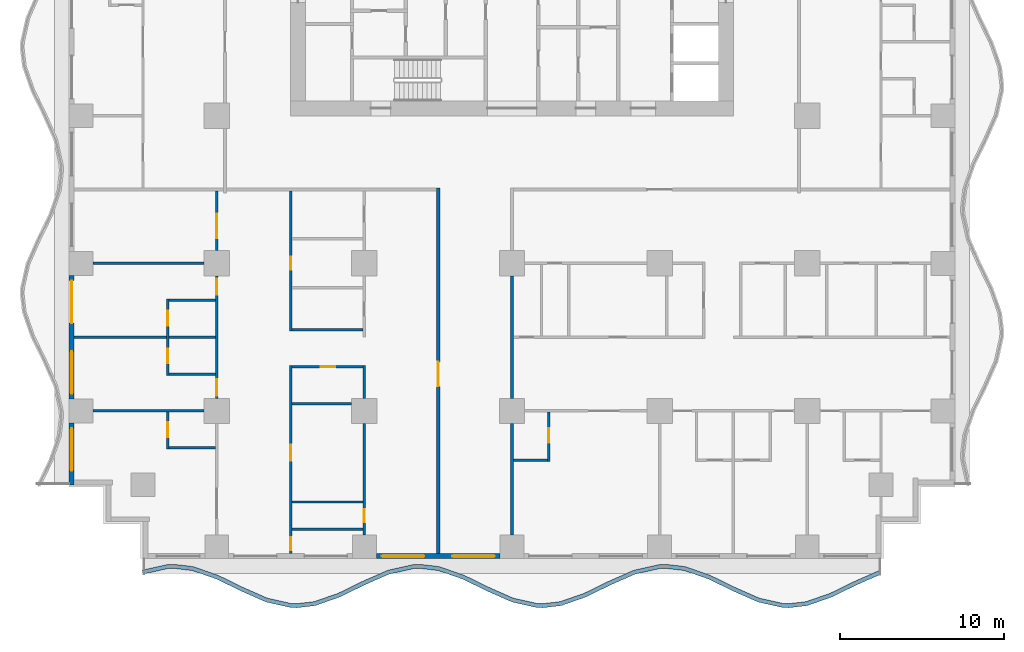
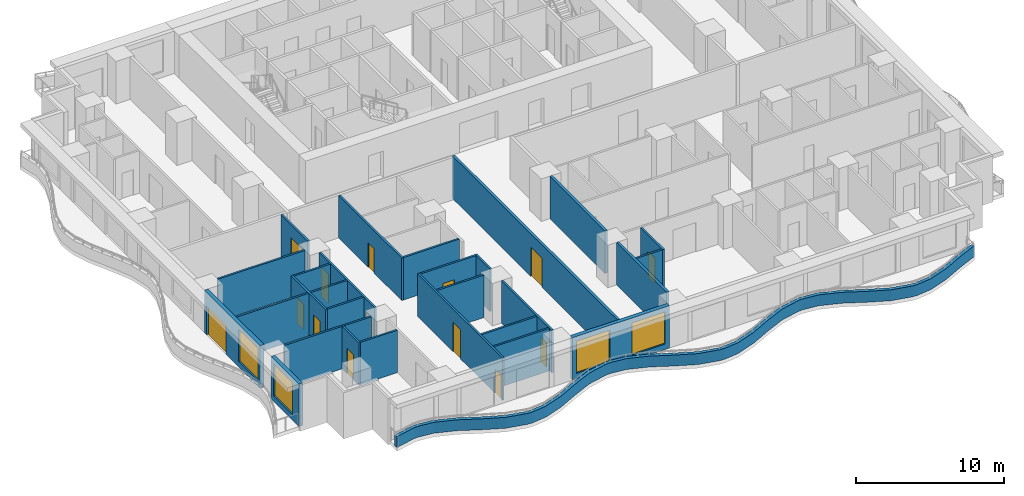
# One storey, part 2 of 14: 29 walls, 14 doors, 4 windows, 18 openings.
"""IFC4 building model written with IfcOpenShell, lengths in metres."""

from ifc_helpers import new_model, si_unit, direction, frame, frame_2d, origin, place, context, subcontext, project, spatial, polyline, rectangle, outline, extrude, material, layer, layer_set, type_object, element, fill, save


model = new_model("IFC4")

# Units and contexts
model_context = context("Model", 3, precision=1e-05, world=origin(), true_north=direction((0.0, 1.0)))
body_context = subcontext(model_context, "Body", "Model", "MODEL_VIEW")
ifc_project = project(units=[si_unit("LENGTHUNIT", "METRE"), si_unit("AREAUNIT", "SQUARE_METRE"), si_unit("VOLUMEUNIT", "CUBIC_METRE"), si_unit("PLANEANGLEUNIT", "RADIAN"), si_unit("MASSUNIT", "GRAM", prefix="KILO")], contexts=[model_context])

# Site, building, storey
site_placement = place(None, origin())
site = spatial("IfcSite", under=ifc_project, at=site_placement, CompositionType="ELEMENT")
building_placement = place(site_placement, origin())
building = spatial("IfcBuilding", under=site, at=building_placement, Name="Orbiselva Terraces", CompositionType="ELEMENT")
storey_placement = place(building_placement, frame((0.0, 0.0, 34.0)))
storey = spatial("IfcBuildingStorey", under=building, at=storey_placement, Name="L08", CompositionType="ELEMENT", Elevation=34.0)

# Wall
ifc_material_1 = material(Name="Concrete C40/50", Category="concrete")
ifc_layer_1 = layer(ifc_material_1, 0.25)
ifc_layer_set_1 = layer_set([ifc_layer_1], Name="Concrete C40/50")
wall_type_1 = type_object("IfcWallType", Name="ENV-PLANTER-250x900", PredefinedType="USERDEFINED", material=ifc_layer_set_1)
wall_1_placement = place(storey_placement, origin())
element("IfcWall", 1, at=wall_1_placement, inside=storey, type_object=wall_type_1, Name="Balcony planter L08 S", ObjectType="PLANTER", PredefinedType="USERDEFINED", context=body_context, shape_type="SweptSolid", body=[
    extrude(outline(polyline([(-22.5, -23.451472), (-21.0, -23.114774), (-20.625, -23.1), (-19.5, -23.230792), (-18.0, -23.755211), (-16.5, -24.487721), (-15.0, -25.148528), (-13.5, -25.485226), (-13.125, -25.5), (-12.0, -25.369208), (-10.5, -24.844789), (-9.0, -24.112279), (-7.5, -23.451472), (-6.0, -23.114774), (-5.625, -23.1), (-4.5, -23.230792), (-3.0, -23.755211), (-1.5, -24.487721), (0.0, -25.148528), (1.5, -25.485226), (1.875, -25.5), (3.0, -25.369208), (4.5, -24.844789), (6.0, -24.112279), (7.5, -23.451472), (9.0, -23.114774), (9.375, -23.1), (10.5, -23.230792), (12.0, -23.755211), (13.5, -24.487721), (15.0, -25.148528), (16.5, -25.485226), (16.875, -25.5), (18.0, -25.369208), (19.5, -24.844789), (21.0, -24.112279), (22.5, -23.451472), (22.399212, -23.222689), (20.894714, -23.885477), (19.40356, -24.613667), (17.943629, -25.124078), (16.865428, -25.249429), (16.532565, -25.236315), (15.078508, -24.90993), (13.605286, -24.260919), (12.09644, -23.524089), (10.556371, -22.985662), (9.384572, -22.849429), (8.967435, -22.865863), (7.421492, -23.212874), (5.894714, -23.885477), (4.40356, -24.613667), (2.943629, -25.124078), (1.865428, -25.249429), (1.532565, -25.236315), (0.078508, -24.90993), (-1.394714, -24.260919), (-2.90356, -23.524089), (-4.443629, -22.985662), (-5.615428, -22.849429), (-6.032565, -22.865863), (-7.578508, -23.212874), (-9.105286, -23.885477), (-10.59644, -24.613667), (-12.056371, -25.124078), (-13.134572, -25.249429), (-13.467435, -25.236315), (-14.921492, -24.90993), (-16.394714, -24.260919), (-17.90356, -23.524089), (-19.443629, -22.985662), (-20.615428, -22.849429), (-21.032565, -22.865863), (-22.554754, -23.207542), (-22.5, -23.451472)])), origin(), (0.0, 0.0, 1.0), 0.9),
])

# Wall, openings, windows
ifc_material_2 = material(Name="Terracotta cladding on masonry backing", Category="masonry")
ifc_layer_2 = layer(ifc_material_2, 0.3)
ifc_layer_set_2 = layer_set([ifc_layer_2], Name="Terracotta cladding on masonry backing")
wall_type_2 = type_object("IfcWallType", Name="ENV-WALL-TERRACOTTA-300", PredefinedType="SOLIDWALL", material=ifc_layer_set_2)
wall_2_placement = place(storey_placement, frame((-0.725, -22.35, 0.0), z_axis=(0.0, 0.0, 1.0), x_axis=(-1.0, 0.0, 0.0)))
wall_2 = element("IfcWall", 2, at=wall_2_placement, inside=storey, type_object=wall_type_2, Name="Facade wall L08 S", PredefinedType="SOLIDWALL", context=body_context, shape_type="SweptSolid", body=[
    extrude(rectangle(XDim=7.55, YDim=0.3, at=frame_2d((3.775, 0.0))), origin(), (0.0, 0.0, 1.0), 3.5),
])
opening_1_placement = place(wall_2_placement, frame((4.625, 0.0, 0.45)))
opening_1 = element("IfcOpeningElement", 3, at=opening_1_placement, cuts=wall_2, Name="Opening WN1", PredefinedType="OPENING", context=body_context, shape_type="SweptSolid", body=[
    extrude(rectangle(XDim=2.6, YDim=2.65, at=frame_2d((1.3, 1.325))), frame((0.0, 0.16, 0.0), z_axis=(0.0, -1.0, 0.0), x_axis=(1.0, 0.0, 0.0)), (0.0, 0.0, 1.0), 0.32),
])
opening_2_placement = place(wall_2_placement, frame((0.325, 0.0, 0.45)))
opening_2 = element("IfcOpeningElement", 4, at=opening_2_placement, cuts=wall_2, Name="Opening WN1", PredefinedType="OPENING", context=body_context, shape_type="SweptSolid", body=[
    extrude(rectangle(XDim=2.6, YDim=2.65, at=frame_2d((1.3, 1.325))), frame((0.0, 0.16, 0.0), z_axis=(0.0, -1.0, 0.0), x_axis=(1.0, 0.0, 0.0)), (0.0, 0.0, 1.0), 0.32),
])
ifc_material_3 = material(Name="Clear low-e glazing in aluminium frame", Category="aluminium")
window_type = type_object("IfcWindowType", Name="WINDOW 2600 X 2650 S450", PartitioningType="TRIPLE_PANEL_VERTICAL", PredefinedType="WINDOW", material=ifc_material_3)
window_1_placement = place(opening_1_placement, origin())
window_1 = element("IfcWindow", 5, at=window_1_placement, inside=storey, type_object=window_type, Name="Window L08 S", OverallHeight=2.65, OverallWidth=2.6, PartitioningType="SINGLE_PANEL", PredefinedType="WINDOW", context=body_context, shape_type="SweptSolid", body=[
    extrude(rectangle(XDim=2.6, YDim=2.65, at=frame_2d((1.3, 1.325))), frame((0.0, 0.03, 0.0), z_axis=(0.0, -1.0, 0.0), x_axis=(1.0, 0.0, 0.0)), (0.0, 0.0, 1.0), 0.06),
])
fill(opening_1, window_1)
window_2_placement = place(opening_2_placement, origin())
window_2 = element("IfcWindow", 6, at=window_2_placement, inside=storey, type_object=window_type, Name="Window L08 S", OverallHeight=2.65, OverallWidth=2.6, PartitioningType="SINGLE_PANEL", PredefinedType="WINDOW", context=body_context, shape_type="SweptSolid", body=[
    extrude(rectangle(XDim=2.6, YDim=2.65, at=frame_2d((1.3, 1.325))), frame((0.0, 0.03, 0.0), z_axis=(0.0, -1.0, 0.0), x_axis=(1.0, 0.0, 0.0)), (0.0, 0.0, 1.0), 0.06),
])
fill(opening_2, window_2)

# Wall, openings, door, window
wall_3_placement = place(storey_placement, frame((-26.85, -12.775, 0.0), z_axis=(0.0, 0.0, 1.0), x_axis=(0.0, 1.0, 0.0)))
wall_3 = element("IfcWall", 7, at=wall_3_placement, inside=storey, type_object=wall_type_2, Name="Facade wall L08 W", PredefinedType="SOLIDWALL", context=body_context, shape_type="SweptSolid", body=[
    extrude(rectangle(XDim=7.55, YDim=0.3, at=frame_2d((3.775, 0.0))), origin(), (0.0, 0.0, 1.0), 3.5),
])
opening_3_placement = place(wall_3_placement, frame((4.625, 0.0, 0.0)))
opening_3 = element("IfcOpeningElement", 8, at=opening_3_placement, cuts=wall_3, Name="Opening Z1-B-E17", PredefinedType="OPENING", context=body_context, shape_type="SweptSolid", body=[
    extrude(rectangle(XDim=2.6, YDim=2.4, at=frame_2d((1.3, 1.2))), frame((0.0, 0.16, 0.0), z_axis=(0.0, -1.0, 0.0), x_axis=(1.0, 0.0, 0.0)), (0.0, 0.0, 1.0), 0.32),
])
opening_4_placement = place(wall_3_placement, frame((0.325, 0.0, 0.45)))
opening_4 = element("IfcOpeningElement", 9, at=opening_4_placement, cuts=wall_3, Name="Opening WN1", PredefinedType="OPENING", context=body_context, shape_type="SweptSolid", body=[
    extrude(rectangle(XDim=2.6, YDim=2.65, at=frame_2d((1.3, 1.325))), frame((0.0, 0.16, 0.0), z_axis=(0.0, -1.0, 0.0), x_axis=(1.0, 0.0, 0.0)), (0.0, 0.0, 1.0), 0.32),
])
door_type_1 = type_object("IfcDoorType", Name="BALCONY DOOR 2600 X 2400", OperationType="DOUBLE_DOOR_SLIDING", PredefinedType="DOOR", material=ifc_material_3)
door_1_placement = place(opening_3_placement, origin())
door_1 = element("IfcDoor", 10, at=door_1_placement, inside=storey, type_object=door_type_1, Name="Z1-B-E17", OperationType="SINGLE_SWING_LEFT", OverallHeight=2.4, OverallWidth=2.6, PredefinedType="DOOR", context=body_context, shape_type="SweptSolid", body=[
    extrude(rectangle(XDim=2.6, YDim=2.4, at=frame_2d((1.3, 1.2))), frame((0.0, 0.025, 0.0), z_axis=(0.0, -1.0, 0.0), x_axis=(1.0, 0.0, 0.0)), (0.0, 0.0, 1.0), 0.05),
])
fill(opening_3, door_1)
window_3_placement = place(opening_4_placement, origin())
window_3 = element("IfcWindow", 11, at=window_3_placement, inside=storey, type_object=window_type, Name="Window L08 W", OverallHeight=2.65, OverallWidth=2.6, PartitioningType="SINGLE_PANEL", PredefinedType="WINDOW", context=body_context, shape_type="SweptSolid", body=[
    extrude(rectangle(XDim=2.6, YDim=2.65, at=frame_2d((1.3, 1.325))), frame((0.0, 0.03, 0.0), z_axis=(0.0, -1.0, 0.0), x_axis=(1.0, 0.0, 0.0)), (0.0, 0.0, 1.0), 0.06),
])
fill(opening_4, window_3)

# Wall, opening, window
wall_4_placement = place(storey_placement, frame((-26.85, -18.0, 0.0), z_axis=(0.0, 0.0, 1.0), x_axis=(0.0, 1.0, 0.0)))
wall_4 = element("IfcWall", 12, at=wall_4_placement, inside=storey, type_object=wall_type_2, Name="Facade wall L08 W", PredefinedType="SOLIDWALL", context=body_context, shape_type="SweptSolid", body=[
    extrude(rectangle(XDim=3.775, YDim=0.3, at=frame_2d((1.8875, 0.0))), origin(), (0.0, 0.0, 1.0), 3.5),
])
opening_5_placement = place(wall_4_placement, frame((0.85, 0.0, 0.45)))
opening_5 = element("IfcOpeningElement", 13, at=opening_5_placement, cuts=wall_4, Name="Opening WN1", PredefinedType="OPENING", context=body_context, shape_type="SweptSolid", body=[
    extrude(rectangle(XDim=2.6, YDim=2.65, at=frame_2d((1.3, 1.325))), frame((0.0, 0.16, 0.0), z_axis=(0.0, -1.0, 0.0), x_axis=(1.0, 0.0, 0.0)), (0.0, 0.0, 1.0), 0.32),
])
window_4_placement = place(opening_5_placement, origin())
window_4 = element("IfcWindow", 14, at=window_4_placement, inside=storey, type_object=window_type, Name="Window L08 W", OverallHeight=2.65, OverallWidth=2.6, PartitioningType="SINGLE_PANEL", PredefinedType="WINDOW", context=body_context, shape_type="SweptSolid", body=[
    extrude(rectangle(XDim=2.6, YDim=2.65, at=frame_2d((1.3, 1.325))), frame((0.0, 0.03, 0.0), z_axis=(0.0, -1.0, 0.0), x_axis=(1.0, 0.0, 0.0)), (0.0, 0.0, 1.0), 0.06),
])
fill(opening_5, window_4)

# Wall, opening, door
ifc_material_4 = material(Name="Plasterboard on steel stud partition", Category="steel")
ifc_layer_3 = layer(ifc_material_4, 0.2)
ifc_layer_set_3 = layer_set([ifc_layer_3], Name="Plasterboard on steel stud partition")
wall_type_3 = type_object("IfcWallType", Name="UNIT-ENTRANCE-WALL-200", PredefinedType="PARTITIONING", material=ifc_layer_set_3)
wall_5_placement = place(storey_placement, frame((-4.5, -22.2, 0.0), z_axis=(0.0, 0.0, 1.0), x_axis=(0.0, 1.0, 0.0)))
wall_5 = element("IfcWall", 15, at=wall_5_placement, inside=storey, type_object=wall_type_3, Name="PARTITION L08-058", PredefinedType="PARTITIONING", context=body_context, shape_type="SweptSolid", body=[
    extrude(rectangle(XDim=22.3, YDim=0.2, at=frame_2d((11.15, 0.0))), origin(), (0.0, 0.0, 1.0), 3.5),
])
opening_6_placement = place(wall_5_placement, frame((10.2, 0.0, 0.0)))
opening_6 = element("IfcOpeningElement", 16, at=opening_6_placement, cuts=wall_5, Name="Opening Z1-B-13", PredefinedType="OPENING", context=body_context, shape_type="SweptSolid", body=[
    extrude(rectangle(XDim=1.5, YDim=2.4, at=frame_2d((0.75, 1.2))), frame((0.0, 0.11, 0.0), z_axis=(0.0, -1.0, 0.0), x_axis=(1.0, 0.0, 0.0)), (0.0, 0.0, 1.0), 0.22),
])
ifc_material_5 = material(Name="Painted timber door leaf", Category="wood")
door_type_2 = type_object("IfcDoorType", Name="ENTRANCE DOUBLE DOOR 1500", OperationType="NOTDEFINED", PredefinedType="DOOR", material=ifc_material_5)
door_2_placement = place(opening_6_placement, origin())
door_2 = element("IfcDoor", 17, at=door_2_placement, inside=storey, type_object=door_type_2, Name="Z1-B-13", OperationType="DOUBLE_DOOR_SINGLE_SWING", OverallHeight=2.4, OverallWidth=1.5, PredefinedType="DOOR", context=body_context, shape_type="SweptSolid", body=[
    extrude(rectangle(XDim=1.5, YDim=2.4, at=frame_2d((0.75, 1.2))), frame((0.0, 0.025, 0.0), z_axis=(0.0, -1.0, 0.0), x_axis=(1.0, 0.0, 0.0)), (0.0, 0.0, 1.0), 0.05),
])
fill(opening_6, door_2)

# Walls
wall_6_placement = place(storey_placement, frame((0.0, -21.05, 0.0), z_axis=(0.0, 0.0, 1.0), x_axis=(0.0, 1.0, 0.0)))
element("IfcWall", 18, at=wall_6_placement, inside=storey, type_object=wall_type_3, Name="PARTITION L08-059", PredefinedType="PARTITIONING", context=body_context, shape_type="SweptSolid", body=[
    extrude(rectangle(XDim=6.775, YDim=0.2, at=frame_2d((3.3875, 0.0))), origin(), (0.0, 0.0, 1.0), 3.5),
])
wall_7_placement = place(storey_placement, frame((0.0, -12.725, 0.0), z_axis=(0.0, 0.0, 1.0), x_axis=(0.0, 1.0, 0.0)))
element("IfcWall", 19, at=wall_7_placement, inside=storey, type_object=wall_type_3, Name="PARTITION L08-060", PredefinedType="PARTITIONING", context=body_context, shape_type="SweptSolid", body=[
    extrude(rectangle(XDim=7.45, YDim=0.2, at=frame_2d((3.725, 0.0))), origin(), (0.0, 0.0, 1.0), 3.5),
])
ifc_layer_4 = layer(ifc_material_4, 0.15)
ifc_layer_set_4 = layer_set([ifc_layer_4], Name="Plasterboard on steel stud partition")
wall_type_4 = type_object("IfcWallType", Name="UNIT-PARTITION-150", PredefinedType="PARTITIONING", material=ifc_layer_set_4)
for number, where, z_axis, x_axis, name in (
    (20, (-13.425, -20.7, 0.0), (0.0, 0.0, 1.0), (1.0, 0.0, 0.0), "PARTITION L08-001"),
    (21, (-13.425, -19.05, 0.0), (0.0, 0.0, 1.0), (1.0, 0.0, 0.0), "PARTITION L08-002"),
):
    element("IfcWall", number, at=place(storey_placement, frame(where, z_axis=z_axis, x_axis=x_axis)), inside=storey, type_object=wall_type_4, Name=name, PredefinedType="PARTITIONING", context=body_context, shape_type="SweptSolid", body=[
        extrude(rectangle(XDim=4.35, YDim=0.15, at=frame_2d((2.175, 0.0))), origin(), (0.0, 0.0, 1.0), 3.5),
    ])
wall_8_placement = place(storey_placement, frame((0.1, -16.5, 0.0), z_axis=(0.0, 0.0, 1.0), x_axis=(1.0, 0.0, 0.0)))
element("IfcWall", 22, at=wall_8_placement, inside=storey, type_object=wall_type_4, Name="PARTITION L08-003", PredefinedType="PARTITIONING", context=body_context, shape_type="SweptSolid", body=[
    extrude(rectangle(XDim=2.075, YDim=0.15, at=frame_2d((1.0375, 0.0))), origin(), (0.0, 0.0, 1.0), 3.5),
])
wall_9_placement = place(storey_placement, frame((-20.925, -15.75, 0.0), z_axis=(0.0, 0.0, 1.0), x_axis=(1.0, 0.0, 0.0)))
element("IfcWall", 23, at=wall_9_placement, inside=storey, type_object=wall_type_4, Name="PARTITION L08-007", PredefinedType="PARTITIONING", context=body_context, shape_type="SweptSolid", body=[
    extrude(rectangle(XDim=2.85, YDim=0.15, at=frame_2d((1.425, 0.0))), origin(), (0.0, 0.0, 1.0), 3.5),
])
wall_10_placement = place(storey_placement, frame((-25.55, -13.5, 0.0), z_axis=(0.0, 0.0, 1.0), x_axis=(1.0, 0.0, 0.0)))
element("IfcWall", 24, at=wall_10_placement, inside=storey, type_object=wall_type_4, Name="PARTITION L08-008", PredefinedType="PARTITIONING", context=body_context, shape_type="SweptSolid", body=[
    extrude(rectangle(XDim=6.775, YDim=0.15, at=frame_2d((3.3875, 0.0))), origin(), (0.0, 0.0, 1.0), 3.5),
])
wall_11_placement = place(storey_placement, frame((-13.425, -13.05, 0.0), z_axis=(0.0, 0.0, 1.0), x_axis=(1.0, 0.0, 0.0)))
element("IfcWall", 25, at=wall_11_placement, inside=storey, type_object=wall_type_4, Name="PARTITION L08-012", PredefinedType="PARTITIONING", context=body_context, shape_type="SweptSolid", body=[
    extrude(rectangle(XDim=3.65, YDim=0.15, at=frame_2d((1.825, 0.0))), origin(), (0.0, 0.0, 1.0), 3.5),
])
wall_12_placement = place(storey_placement, frame((-20.925, -11.25, 0.0), z_axis=(0.0, 0.0, 1.0), x_axis=(1.0, 0.0, 0.0)))
element("IfcWall", 26, at=wall_12_placement, inside=storey, type_object=wall_type_4, Name="PARTITION L08-013", PredefinedType="PARTITIONING", context=body_context, shape_type="SweptSolid", body=[
    extrude(rectangle(XDim=2.85, YDim=0.15, at=frame_2d((1.425, 0.0))), origin(), (0.0, 0.0, 1.0), 3.5),
])

# Wall, opening, door
wall_13_placement = place(storey_placement, frame((-9.075, -10.8, 0.0), z_axis=(0.0, 0.0, 1.0), x_axis=(-1.0, 0.0, 0.0)))
wall_13 = element("IfcWall", 27, at=wall_13_placement, inside=storey, type_object=wall_type_4, Name="PARTITION L08-014", PredefinedType="PARTITIONING", context=body_context, shape_type="SweptSolid", body=[
    extrude(rectangle(XDim=4.35, YDim=0.15, at=frame_2d((2.175, 0.0))), origin(), (0.0, 0.0, 1.0), 3.5),
])
opening_7_placement = place(wall_13_placement, frame((1.7, 0.0, 0.0)))
opening_7 = element("IfcOpeningElement", 28, at=opening_7_placement, cuts=wall_13, Name="Opening Z1-B-17", PredefinedType="OPENING", context=body_context, shape_type="SweptSolid", body=[
    extrude(rectangle(XDim=0.9, YDim=2.1, at=frame_2d((0.45, 1.05))), frame((0.0, 0.085, 0.0), z_axis=(0.0, -1.0, 0.0), x_axis=(1.0, 0.0, 0.0)), (0.0, 0.0, 1.0), 0.17),
])
door_type_3 = type_object("IfcDoorType", Name="BATH DOOR 900", OperationType="NOTDEFINED", PredefinedType="DOOR", material=ifc_material_5)
door_3_placement = place(opening_7_placement, origin())
door_3 = element("IfcDoor", 29, at=door_3_placement, inside=storey, type_object=door_type_3, Name="Z1-B-17", OperationType="SINGLE_SWING_LEFT", OverallHeight=2.1, OverallWidth=0.9, PredefinedType="DOOR", context=body_context, shape_type="SweptSolid", body=[
    extrude(rectangle(XDim=0.9, YDim=2.1, at=frame_2d((0.45, 1.05))), frame((0.0, 0.025, 0.0), z_axis=(0.0, -1.0, 0.0), x_axis=(1.0, 0.0, 0.0)), (0.0, 0.0, 1.0), 0.05),
])
fill(opening_7, door_3)

# Walls
wall_14_placement = place(storey_placement, frame((-26.7, -9.0, 0.0), z_axis=(0.0, 0.0, 1.0), x_axis=(1.0, 0.0, 0.0)))
element("IfcWall", 30, at=wall_14_placement, inside=storey, type_object=wall_type_4, Name="PARTITION L08-015", PredefinedType="PARTITIONING", context=body_context, shape_type="SweptSolid", body=[
    extrude(rectangle(XDim=5.625, YDim=0.15, at=frame_2d((2.8125, 0.0))), origin(), (0.0, 0.0, 1.0), 3.5),
])
wall_15_placement = place(storey_placement, frame((-20.925, -9.0, 0.0), z_axis=(0.0, 0.0, 1.0), x_axis=(1.0, 0.0, 0.0)))
element("IfcWall", 31, at=wall_15_placement, inside=storey, type_object=wall_type_4, Name="PARTITION L08-016", PredefinedType="PARTITIONING", context=body_context, shape_type="SweptSolid", body=[
    extrude(rectangle(XDim=2.85, YDim=0.15, at=frame_2d((1.425, 0.0))), origin(), (0.0, 0.0, 1.0), 3.5),
])
wall_16_placement = place(storey_placement, frame((-13.425, -8.55, 0.0), z_axis=(0.0, 0.0, 1.0), x_axis=(1.0, 0.0, 0.0)))
element("IfcWall", 32, at=wall_16_placement, inside=storey, type_object=wall_type_4, Name="PARTITION L08-019", PredefinedType="PARTITIONING", context=body_context, shape_type="SweptSolid", body=[
    extrude(rectangle(XDim=4.35, YDim=0.15, at=frame_2d((2.175, 0.0))), origin(), (0.0, 0.0, 1.0), 3.5),
])
wall_17_placement = place(storey_placement, frame((-20.925, -6.75, 0.0), z_axis=(0.0, 0.0, 1.0), x_axis=(1.0, 0.0, 0.0)))
element("IfcWall", 33, at=wall_17_placement, inside=storey, type_object=wall_type_4, Name="PARTITION L08-020", PredefinedType="PARTITIONING", context=body_context, shape_type="SweptSolid", body=[
    extrude(rectangle(XDim=2.85, YDim=0.15, at=frame_2d((1.425, 0.0))), origin(), (0.0, 0.0, 1.0), 3.5),
])
wall_18_placement = place(storey_placement, frame((-25.55, -4.5, 0.0), z_axis=(0.0, 0.0, 1.0), x_axis=(1.0, 0.0, 0.0)))
element("IfcWall", 34, at=wall_18_placement, inside=storey, type_object=wall_type_4, Name="PARTITION L08-022", PredefinedType="PARTITIONING", context=body_context, shape_type="SweptSolid", body=[
    extrude(rectangle(XDim=6.775, YDim=0.15, at=frame_2d((3.3875, 0.0))), origin(), (0.0, 0.0, 1.0), 3.5),
])

# Wall, opening, door
wall_19_placement = place(storey_placement, frame((-21.0, -13.575, 0.0), z_axis=(0.0, 0.0, 1.0), x_axis=(0.0, -1.0, 0.0)))
wall_19 = element("IfcWall", 35, at=wall_19_placement, inside=storey, type_object=wall_type_4, Name="PARTITION L08-044", PredefinedType="PARTITIONING", context=body_context, shape_type="SweptSolid", body=[
    extrude(rectangle(XDim=2.25, YDim=0.15, at=frame_2d((1.125, 0.0))), origin(), (0.0, 0.0, 1.0), 3.5),
])
opening_8_placement = place(wall_19_placement, frame((0.625, 0.0, 0.0)))
opening_8 = element("IfcOpeningElement", 36, at=opening_8_placement, cuts=wall_19, Name="Opening Z1-B-22", PredefinedType="OPENING", context=body_context, shape_type="SweptSolid", body=[
    extrude(rectangle(XDim=0.9, YDim=2.1, at=frame_2d((0.45, 1.05))), frame((0.0, 0.085, 0.0), z_axis=(0.0, -1.0, 0.0), x_axis=(1.0, 0.0, 0.0)), (0.0, 0.0, 1.0), 0.17),
])
door_4_placement = place(opening_8_placement, origin())
door_4 = element("IfcDoor", 37, at=door_4_placement, inside=storey, type_object=door_type_3, Name="Z1-B-22", OperationType="SINGLE_SWING_LEFT", OverallHeight=2.1, OverallWidth=0.9, PredefinedType="DOOR", context=body_context, shape_type="SweptSolid", body=[
    extrude(rectangle(XDim=0.9, YDim=2.1, at=frame_2d((0.45, 1.05))), frame((0.0, 0.025, 0.0), z_axis=(0.0, -1.0, 0.0), x_axis=(1.0, 0.0, 0.0)), (0.0, 0.0, 1.0), 0.05),
])
fill(opening_8, door_4)

# Wall, openings, doors
wall_20_placement = place(storey_placement, frame((-21.0, -6.675, 0.0), z_axis=(0.0, 0.0, 1.0), x_axis=(0.0, -1.0, 0.0)))
wall_20 = element("IfcWall", 38, at=wall_20_placement, inside=storey, type_object=wall_type_4, Name="PARTITION L08-045", PredefinedType="PARTITIONING", context=body_context, shape_type="SweptSolid", body=[
    extrude(rectangle(XDim=4.65, YDim=0.15, at=frame_2d((2.325, 0.0))), origin(), (0.0, 0.0, 1.0), 3.5),
])
opening_9_placement = place(wall_20_placement, frame((3.025, 0.0, 0.0)))
opening_9 = element("IfcOpeningElement", 39, at=opening_9_placement, cuts=wall_20, Name="Opening Z1-B-24", PredefinedType="OPENING", context=body_context, shape_type="SweptSolid", body=[
    extrude(rectangle(XDim=0.9, YDim=2.1, at=frame_2d((0.45, 1.05))), frame((0.0, 0.085, 0.0), z_axis=(0.0, -1.0, 0.0), x_axis=(1.0, 0.0, 0.0)), (0.0, 0.0, 1.0), 0.17),
])
opening_10_placement = place(wall_20_placement, frame((0.725, 0.0, 0.0)))
opening_10 = element("IfcOpeningElement", 40, at=opening_10_placement, cuts=wall_20, Name="Opening Z1-B-26", PredefinedType="OPENING", context=body_context, shape_type="SweptSolid", body=[
    extrude(rectangle(XDim=0.9, YDim=2.1, at=frame_2d((0.45, 1.05))), frame((0.0, 0.085, 0.0), z_axis=(0.0, -1.0, 0.0), x_axis=(1.0, 0.0, 0.0)), (0.0, 0.0, 1.0), 0.17),
])
door_5_placement = place(opening_9_placement, origin())
door_5 = element("IfcDoor", 41, at=door_5_placement, inside=storey, type_object=door_type_3, Name="Z1-B-24", OperationType="SINGLE_SWING_RIGHT", OverallHeight=2.1, OverallWidth=0.9, PredefinedType="DOOR", context=body_context, shape_type="SweptSolid", body=[
    extrude(rectangle(XDim=0.9, YDim=2.1, at=frame_2d((0.45, 1.05))), frame((0.0, 0.025, 0.0), z_axis=(0.0, -1.0, 0.0), x_axis=(1.0, 0.0, 0.0)), (0.0, 0.0, 1.0), 0.05),
])
fill(opening_9, door_5)
door_6_placement = place(opening_10_placement, origin())
door_6 = element("IfcDoor", 42, at=door_6_placement, inside=storey, type_object=door_type_3, Name="Z1-B-26", OperationType="SINGLE_SWING_LEFT", OverallHeight=2.1, OverallWidth=0.9, PredefinedType="DOOR", context=body_context, shape_type="SweptSolid", body=[
    extrude(rectangle(XDim=0.9, YDim=2.1, at=frame_2d((0.45, 1.05))), frame((0.0, 0.025, 0.0), z_axis=(0.0, -1.0, 0.0), x_axis=(1.0, 0.0, 0.0)), (0.0, 0.0, 1.0), 0.05),
])
fill(opening_10, door_6)

wall_21_placement = place(storey_placement, frame((-18.0, -12.725, 0.0), z_axis=(0.0, 0.0, 1.0), x_axis=(0.0, 1.0, 0.0)))
wall_21 = element("IfcWall", 43, at=wall_21_placement, inside=storey, type_object=wall_type_4, Name="PARTITION L08-047", PredefinedType="PARTITIONING", context=body_context, shape_type="SweptSolid", body=[
    extrude(rectangle(XDim=7.45, YDim=0.15, at=frame_2d((3.725, 0.0))), origin(), (0.0, 0.0, 1.0), 3.5),
])
opening_11_placement = place(wall_21_placement, frame((0.15, 0.0, 0.0)))
opening_11 = element("IfcOpeningElement", 44, at=opening_11_placement, cuts=wall_21, Name="Opening Z1-B-23", PredefinedType="OPENING", context=body_context, shape_type="SweptSolid", body=[
    extrude(rectangle(XDim=1.0, YDim=2.4, at=frame_2d((0.5, 1.2))), frame((0.0, 0.085, 0.0), z_axis=(0.0, -1.0, 0.0), x_axis=(1.0, 0.0, 0.0)), (0.0, 0.0, 1.0), 0.17),
])
opening_12_placement = place(wall_21_placement, frame((6.3, 0.0, 0.0)))
opening_12 = element("IfcOpeningElement", 45, at=opening_12_placement, cuts=wall_21, Name="Opening Z1-B-25", PredefinedType="OPENING", context=body_context, shape_type="SweptSolid", body=[
    extrude(rectangle(XDim=1.0, YDim=2.4, at=frame_2d((0.5, 1.2))), frame((0.0, 0.085, 0.0), z_axis=(0.0, -1.0, 0.0), x_axis=(1.0, 0.0, 0.0)), (0.0, 0.0, 1.0), 0.17),
])
door_type_4 = type_object("IfcDoorType", Name="ROOM DOOR 1000", OperationType="NOTDEFINED", PredefinedType="DOOR", material=ifc_material_5)
door_7_placement = place(opening_11_placement, origin())
door_7 = element("IfcDoor", 46, at=door_7_placement, inside=storey, type_object=door_type_4, Name="Z1-B-23", OperationType="SINGLE_SWING_LEFT", OverallHeight=2.4, OverallWidth=1.0, PredefinedType="DOOR", context=body_context, shape_type="SweptSolid", body=[
    extrude(rectangle(XDim=1.0, YDim=2.4, at=frame_2d((0.5, 1.2))), frame((0.0, 0.025, 0.0), z_axis=(0.0, -1.0, 0.0), x_axis=(1.0, 0.0, 0.0)), (0.0, 0.0, 1.0), 0.05),
])
fill(opening_11, door_7)
door_8_placement = place(opening_12_placement, origin())
door_8 = element("IfcDoor", 47, at=door_8_placement, inside=storey, type_object=door_type_4, Name="Z1-B-25", OperationType="SINGLE_SWING_RIGHT", OverallHeight=2.4, OverallWidth=1.0, PredefinedType="DOOR", context=body_context, shape_type="SweptSolid", body=[
    extrude(rectangle(XDim=1.0, YDim=2.4, at=frame_2d((0.5, 1.2))), frame((0.0, 0.025, 0.0), z_axis=(0.0, -1.0, 0.0), x_axis=(1.0, 0.0, 0.0)), (0.0, 0.0, 1.0), 0.05),
])
fill(opening_12, door_8)

# Wall, opening, door
wall_22_placement = place(storey_placement, frame((-18.0, -3.725, 0.0), z_axis=(0.0, 0.0, 1.0), x_axis=(0.0, 1.0, 0.0)))
wall_22 = element("IfcWall", 48, at=wall_22_placement, inside=storey, type_object=wall_type_4, Name="PARTITION L08-048", PredefinedType="PARTITIONING", context=body_context, shape_type="SweptSolid", body=[
    extrude(rectangle(XDim=3.625, YDim=0.15, at=frame_2d((1.8125, 0.0))), origin(), (0.0, 0.0, 1.0), 3.5),
])
opening_13_placement = place(wall_22_placement, frame((0.75, 0.0, 0.0)))
opening_13 = element("IfcOpeningElement", 49, at=opening_13_placement, cuts=wall_22, Name="Opening Z1-B-27", PredefinedType="OPENING", context=body_context, shape_type="SweptSolid", body=[
    extrude(rectangle(XDim=1.5, YDim=2.4, at=frame_2d((0.75, 1.2))), frame((0.0, 0.085, 0.0), z_axis=(0.0, -1.0, 0.0), x_axis=(1.0, 0.0, 0.0)), (0.0, 0.0, 1.0), 0.17),
])
door_type_5 = type_object("IfcDoorType", Name="DOUBLE DOOR 1500", OperationType="NOTDEFINED", PredefinedType="DOOR", material=ifc_material_5)
door_9_placement = place(opening_13_placement, origin())
door_9 = element("IfcDoor", 50, at=door_9_placement, inside=storey, type_object=door_type_5, Name="Z1-B-27", OperationType="DOUBLE_DOOR_SINGLE_SWING", OverallHeight=2.4, OverallWidth=1.5, PredefinedType="DOOR", context=body_context, shape_type="SweptSolid", body=[
    extrude(rectangle(XDim=1.5, YDim=2.4, at=frame_2d((0.75, 1.2))), frame((0.0, 0.025, 0.0), z_axis=(0.0, -1.0, 0.0), x_axis=(1.0, 0.0, 0.0)), (0.0, 0.0, 1.0), 0.05),
])
fill(opening_13, door_9)

# Wall, openings, doors
wall_23_placement = place(storey_placement, frame((-13.5, -10.725, 0.0), z_axis=(0.0, 0.0, 1.0), x_axis=(0.0, -1.0, 0.0)))
wall_23 = element("IfcWall", 51, at=wall_23_placement, inside=storey, type_object=wall_type_4, Name="PARTITION L08-052", PredefinedType="PARTITIONING", context=body_context, shape_type="SweptSolid", body=[
    extrude(rectangle(XDim=11.475, YDim=0.15, at=frame_2d((5.7375, 0.0))), origin(), (0.0, 0.0, 1.0), 3.5),
])
opening_14_placement = place(wall_23_placement, frame((10.475, 0.0, 0.0)))
opening_14 = element("IfcOpeningElement", 52, at=opening_14_placement, cuts=wall_23, Name="Opening Z1-B-14", PredefinedType="OPENING", context=body_context, shape_type="SweptSolid", body=[
    extrude(rectangle(XDim=0.8, YDim=2.0, at=frame_2d((0.4, 1.0))), frame((0.0, 0.085, 0.0), z_axis=(0.0, -1.0, 0.0), x_axis=(1.0, 0.0, 0.0)), (0.0, 0.0, 1.0), 0.17),
])
opening_15_placement = place(wall_23_placement, frame((4.825, 0.0, 0.0)))
opening_15 = element("IfcOpeningElement", 53, at=opening_15_placement, cuts=wall_23, Name="Opening Z1-B-16", PredefinedType="OPENING", context=body_context, shape_type="SweptSolid", body=[
    extrude(rectangle(XDim=1.0, YDim=2.4, at=frame_2d((0.5, 1.2))), frame((0.0, 0.085, 0.0), z_axis=(0.0, -1.0, 0.0), x_axis=(1.0, 0.0, 0.0)), (0.0, 0.0, 1.0), 0.17),
])
door_10_placement = place(opening_15_placement, origin())
door_10 = element("IfcDoor", 54, at=door_10_placement, inside=storey, type_object=door_type_4, Name="Z1-B-16", OperationType="SINGLE_SWING_LEFT", OverallHeight=2.4, OverallWidth=1.0, PredefinedType="DOOR", context=body_context, shape_type="SweptSolid", body=[
    extrude(rectangle(XDim=1.0, YDim=2.4, at=frame_2d((0.5, 1.2))), frame((0.0, 0.025, 0.0), z_axis=(0.0, -1.0, 0.0), x_axis=(1.0, 0.0, 0.0)), (0.0, 0.0, 1.0), 0.05),
])
fill(opening_15, door_10)
door_type_6 = type_object("IfcDoorType", Name="STORE DOOR 800", OperationType="NOTDEFINED", PredefinedType="DOOR", material=ifc_material_5)
door_11_placement = place(opening_14_placement, origin())
door_11 = element("IfcDoor", 55, at=door_11_placement, inside=storey, type_object=door_type_6, Name="Z1-B-14", OperationType="SINGLE_SWING_RIGHT", OverallHeight=2.0, OverallWidth=0.8, PredefinedType="DOOR", context=body_context, shape_type="SweptSolid", body=[
    extrude(rectangle(XDim=0.8, YDim=2.0, at=frame_2d((0.4, 1.0))), frame((0.0, 0.025, 0.0), z_axis=(0.0, -1.0, 0.0), x_axis=(1.0, 0.0, 0.0)), (0.0, 0.0, 1.0), 0.05),
])
fill(opening_14, door_11)

# Wall, opening, door
wall_24_placement = place(storey_placement, frame((-13.5, -0.1, 0.0), z_axis=(0.0, 0.0, 1.0), x_axis=(0.0, -1.0, 0.0)))
wall_24 = element("IfcWall", 56, at=wall_24_placement, inside=storey, type_object=wall_type_4, Name="PARTITION L08-053", PredefinedType="PARTITIONING", context=body_context, shape_type="SweptSolid", body=[
    extrude(rectangle(XDim=8.525, YDim=0.15, at=frame_2d((4.2625, 0.0))), origin(), (0.0, 0.0, 1.0), 3.5),
])
opening_16_placement = place(wall_24_placement, frame((4.0, 0.0, 0.0)))
opening_16 = element("IfcOpeningElement", 57, at=opening_16_placement, cuts=wall_24, Name="Opening Z1-B-19", PredefinedType="OPENING", context=body_context, shape_type="SweptSolid", body=[
    extrude(rectangle(XDim=0.8, YDim=2.0, at=frame_2d((0.4, 1.0))), frame((0.0, 0.085, 0.0), z_axis=(0.0, -1.0, 0.0), x_axis=(1.0, 0.0, 0.0)), (0.0, 0.0, 1.0), 0.17),
])
door_12_placement = place(opening_16_placement, origin())
door_12 = element("IfcDoor", 58, at=door_12_placement, inside=storey, type_object=door_type_6, Name="Z1-B-19", OperationType="SINGLE_SWING_RIGHT", OverallHeight=2.0, OverallWidth=0.8, PredefinedType="DOOR", context=body_context, shape_type="SweptSolid", body=[
    extrude(rectangle(XDim=0.8, YDim=2.0, at=frame_2d((0.4, 1.0))), frame((0.0, 0.025, 0.0), z_axis=(0.0, -1.0, 0.0), x_axis=(1.0, 0.0, 0.0)), (0.0, 0.0, 1.0), 0.05),
])
fill(opening_16, door_12)

wall_25_placement = place(storey_placement, frame((-9.0, -21.05, 0.0), z_axis=(0.0, 0.0, 1.0), x_axis=(0.0, 1.0, 0.0)))
wall_25 = element("IfcWall", 59, at=wall_25_placement, inside=storey, type_object=wall_type_4, Name="PARTITION L08-054", PredefinedType="PARTITIONING", context=body_context, shape_type="SweptSolid", body=[
    extrude(rectangle(XDim=6.775, YDim=0.15, at=frame_2d((3.3875, 0.0))), origin(), (0.0, 0.0, 1.0), 3.5),
])
opening_17_placement = place(wall_25_placement, frame((0.75, 0.0, 0.0)))
opening_17 = element("IfcOpeningElement", 60, at=opening_17_placement, cuts=wall_25, Name="Opening Z1-B-15", PredefinedType="OPENING", context=body_context, shape_type="SweptSolid", body=[
    extrude(rectangle(XDim=0.8, YDim=2.0, at=frame_2d((0.4, 1.0))), frame((0.0, 0.085, 0.0), z_axis=(0.0, -1.0, 0.0), x_axis=(1.0, 0.0, 0.0)), (0.0, 0.0, 1.0), 0.17),
])
door_13_placement = place(opening_17_placement, origin())
door_13 = element("IfcDoor", 61, at=door_13_placement, inside=storey, type_object=door_type_6, Name="Z1-B-15", OperationType="SINGLE_SWING_LEFT", OverallHeight=2.0, OverallWidth=0.8, PredefinedType="DOOR", context=body_context, shape_type="SweptSolid", body=[
    extrude(rectangle(XDim=0.8, YDim=2.0, at=frame_2d((0.4, 1.0))), frame((0.0, 0.025, 0.0), z_axis=(0.0, -1.0, 0.0), x_axis=(1.0, 0.0, 0.0)), (0.0, 0.0, 1.0), 0.05),
])
fill(opening_17, door_13)

# Wall
wall_26_placement = place(storey_placement, frame((-9.0, -12.725, 0.0), z_axis=(0.0, 0.0, 1.0), x_axis=(0.0, 1.0, 0.0)))
element("IfcWall", 62, at=wall_26_placement, inside=storey, type_object=wall_type_4, Name="PARTITION L08-055", PredefinedType="PARTITIONING", context=body_context, shape_type="SweptSolid", body=[
    extrude(rectangle(XDim=2.0, YDim=0.15, at=frame_2d((1.0, 0.0))), origin(), (0.0, 0.0, 1.0), 3.5),
])

# Wall, opening, door
wall_27_placement = place(storey_placement, frame((2.25, -16.575, 0.0), z_axis=(0.0, 0.0, 1.0), x_axis=(0.0, 1.0, 0.0)))
wall_27 = element("IfcWall", 63, at=wall_27_placement, inside=storey, type_object=wall_type_4, Name="PARTITION L08-063", PredefinedType="PARTITIONING", context=body_context, shape_type="SweptSolid", body=[
    extrude(rectangle(XDim=3.0, YDim=0.15, at=frame_2d((1.5, 0.0))), origin(), (0.0, 0.0, 1.0), 3.5),
])
opening_18_placement = place(wall_27_placement, frame((1.125, 0.0, 0.0)))
opening_18 = element("IfcOpeningElement", 64, at=opening_18_placement, cuts=wall_27, Name="Opening Z1-B-39", PredefinedType="OPENING", context=body_context, shape_type="SweptSolid", body=[
    extrude(rectangle(XDim=0.9, YDim=2.1, at=frame_2d((0.45, 1.05))), frame((0.0, 0.085, 0.0), z_axis=(0.0, -1.0, 0.0), x_axis=(1.0, 0.0, 0.0)), (0.0, 0.0, 1.0), 0.17),
])
door_14_placement = place(opening_18_placement, origin())
door_14 = element("IfcDoor", 65, at=door_14_placement, inside=storey, type_object=door_type_3, Name="Z1-B-39", OperationType="SINGLE_SWING_RIGHT", OverallHeight=2.1, OverallWidth=0.9, PredefinedType="DOOR", context=body_context, shape_type="SweptSolid", body=[
    extrude(rectangle(XDim=0.9, YDim=2.1, at=frame_2d((0.45, 1.05))), frame((0.0, 0.025, 0.0), z_axis=(0.0, -1.0, 0.0), x_axis=(1.0, 0.0, 0.0)), (0.0, 0.0, 1.0), 0.05),
])
fill(opening_18, door_14)

save(model, "model.ifc")
